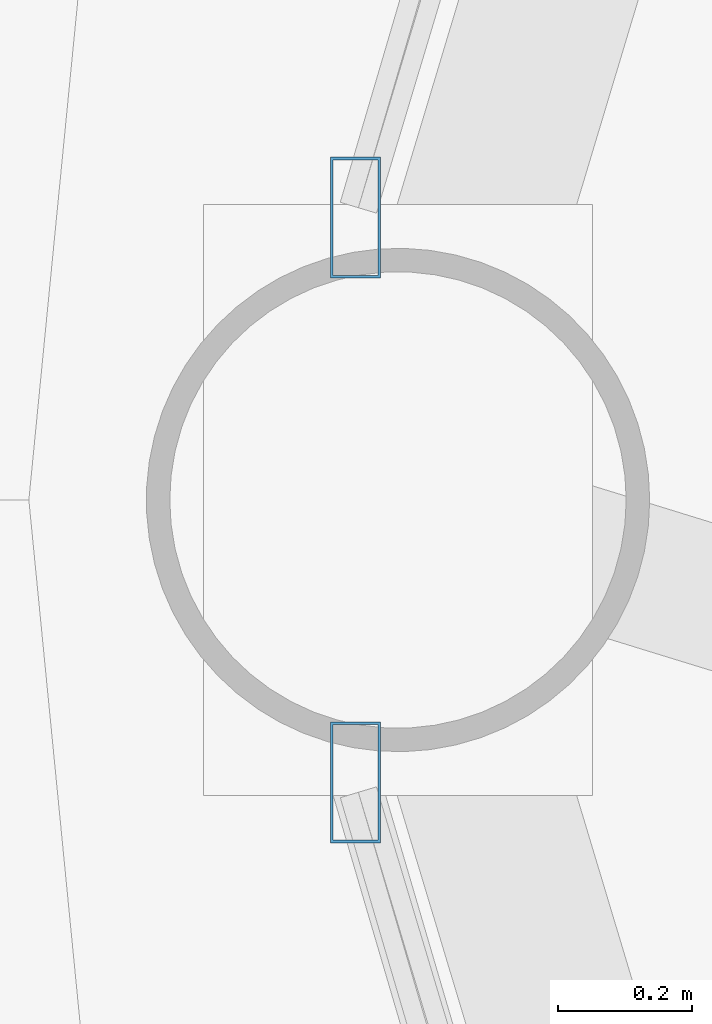
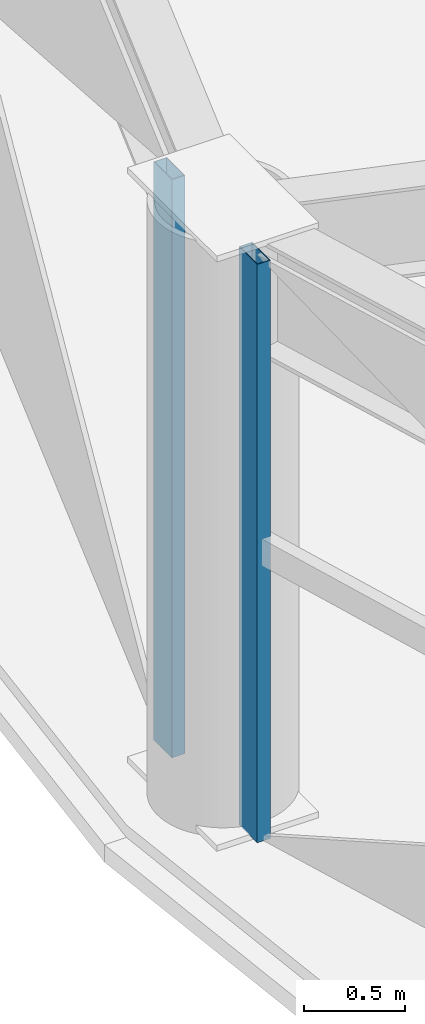
# One storey, part 7 of 29: 2 members, 2 elements without a shape of their own.
"""IFC4 building model written with IfcOpenShell, lengths in metres."""

from ifc_helpers import new_model, si_unit, direction, frame, origin, origin_2d, place, context, subcontext, project, spatial, hollow_rectangle, extrude, material, layer, layer_set, material_profile, profile_set, type_object, element, aggregate, save


model = new_model("IFC4")

# Units and contexts
model_context = context("Model", 3, precision=1e-05, world=origin(), true_north=direction((0.0, 1.0)))
body_context = subcontext(model_context, "Body", "Model", "MODEL_VIEW")
ifc_project = project(units=[si_unit("LENGTHUNIT", "METRE"), si_unit("AREAUNIT", "SQUARE_METRE"), si_unit("VOLUMEUNIT", "CUBIC_METRE"), si_unit("PLANEANGLEUNIT", "RADIAN"), si_unit("MASSUNIT", "GRAM", prefix="KILO")], contexts=[model_context])

# Site, building, storey
site_placement = place(None, origin())
site = spatial("IfcSite", under=ifc_project, at=site_placement, CompositionType="ELEMENT")
building_placement = place(site_placement, origin())
building = spatial("IfcBuilding", under=site, at=building_placement, Name="Vantalir Tower", CompositionType="ELEMENT")
storey_placement = place(building_placement, frame((0.0, 0.0, 168.449951171875)))
storey = spatial("IfcBuildingStorey", under=building, at=storey_placement, Name="L42", CompositionType="ELEMENT", Elevation=168.449951171875)

# Curtain wall, member
ifc_material_1 = material(Name="Champagne-silver PVDF aluminium and double-silver Low-E glass", Category="aluminium")
ifc_layer = layer(ifc_material_1, 0.199951171875)
ifc_layer_set = layer_set([ifc_layer], Name="Champagne-silver PVDF aluminium and double-silver Low-E glass")
curtain_wall_type = type_object("IfcCurtainWallType", Name="CW-DIAMOND-Z2", PredefinedType="USERDEFINED", material=ifc_layer_set)
curtain_wall_1_placement = place(storey_placement, origin())
curtain_wall_1 = element("IfcCurtainWall", 1, at=curtain_wall_1_placement, inside=storey, type_object=curtain_wall_type, Name="L42 Quilted Pyramid-Diamond Curtain Wall S06", ObjectType="UNITISED CURTAIN WALL", PredefinedType="USERDEFINED")
ifc_material_2 = material(Name="Champagne-silver PVDF aluminium 6063-T6", Category="aluminium")
ifc_material_profile = material_profile(ifc_material_2, hollow_rectangle(XDim=0.074951171875, YDim=0.179931640625, WallThickness=0.00390625, at=origin_2d()), Name="Champagne-silver PVDF aluminium 6063-T6")
ifc_profile_set = profile_set([ifc_material_profile], Name="Champagne-silver PVDF aluminium 6063-T6")
member_type = type_object("IfcMemberType", Name="CWM-180x75", PredefinedType="MULLION", material=ifc_profile_set)
member_1_placement = place(storey_placement, frame((6.90087890625, 25.4208984375, 0.045166015625), z_axis=(0.0, 0.0, 1.0), x_axis=(1.0, 0.0, 0.0)))
member_1 = element("IfcMember", 2, at=member_1_placement, type_object=member_type, Name="CW-L42-S06 Mullion 2", PredefinedType="MULLION", context=body_context, shape_type="SweptSolid", body=[
    extrude(hollow_rectangle(XDim=0.074951171875, YDim=0.179931640625, WallThickness=0.00390625, at=origin_2d()), origin(), (0.0, 0.0, 1.0), 3.47998046875),
])
aggregate(curtain_wall_1, [member_1])

curtain_wall_2_placement = place(storey_placement, origin())
curtain_wall_2 = element("IfcCurtainWall", 3, at=curtain_wall_2_placement, inside=storey, type_object=curtain_wall_type, Name="L42 Quilted Pyramid-Diamond Curtain Wall S07", ObjectType="UNITISED CURTAIN WALL", PredefinedType="USERDEFINED")
member_2_placement = place(storey_placement, frame((6.90087890625, 24.5791015625, 0.045166015625), z_axis=(0.0, 0.0, 1.0), x_axis=(1.0, 0.0, 0.0)))
member_2 = element("IfcMember", 4, at=member_2_placement, type_object=member_type, Name="CW-L42-S07 Mullion 1", PredefinedType="MULLION", context=body_context, shape_type="SweptSolid", body=[
    extrude(hollow_rectangle(XDim=0.074951171875, YDim=0.179931640625, WallThickness=0.00390625, at=origin_2d()), origin(), (0.0, 0.0, 1.0), 3.47998046875),
])
aggregate(curtain_wall_2, [member_2])

save(model, "model.ifc")
